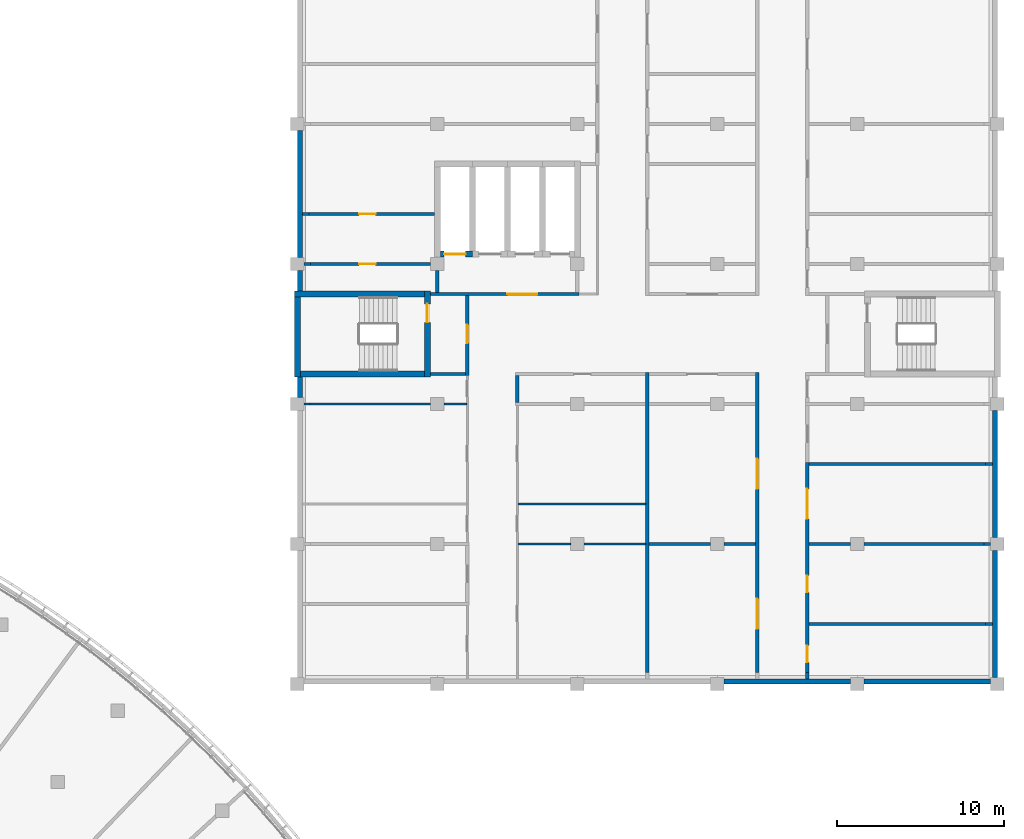
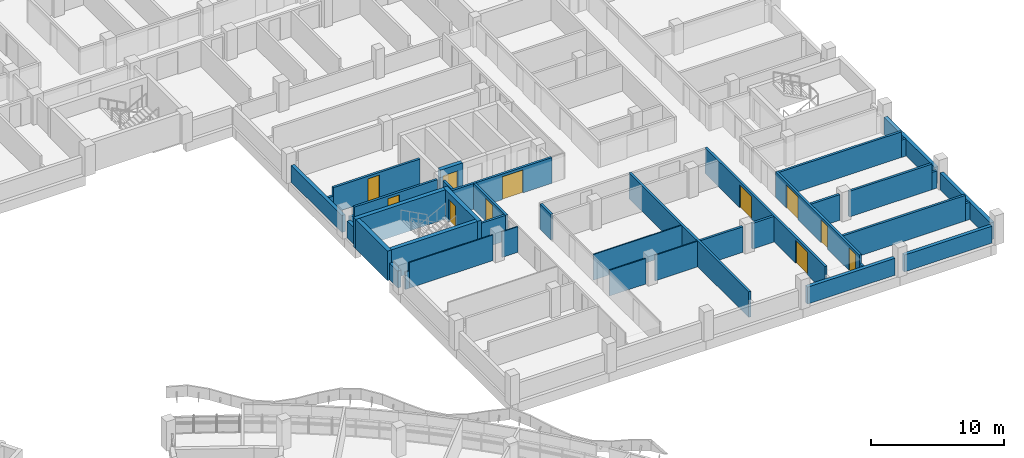
# One storey, part 55 of 89: 40 walls, 11 doors, 11 openings.
"""IFC4 building model written with IfcOpenShell, lengths in metres."""

from ifc_helpers import new_model, si_unit, direction, frame, frame_2d, origin, place, context, subcontext, project, spatial, rectangle, extrude, material, layer, layer_set, type_object, element, fill, save


model = new_model("IFC4")

# Units and contexts
model_context = context("Model", 3, precision=1e-05, world=origin(), true_north=direction((0.0, 1.0)))
body_context = subcontext(model_context, "Body", "Model", "MODEL_VIEW")
ifc_project = project(units=[si_unit("LENGTHUNIT", "METRE"), si_unit("AREAUNIT", "SQUARE_METRE"), si_unit("VOLUMEUNIT", "CUBIC_METRE"), si_unit("PLANEANGLEUNIT", "RADIAN"), si_unit("MASSUNIT", "GRAM", prefix="KILO")], contexts=[model_context])

# Site, building, storey
site_placement = place(None, origin())
site = spatial("IfcSite", under=ifc_project, at=site_placement, CompositionType="ELEMENT")
building_placement = place(site_placement, origin())
building = spatial("IfcBuilding", under=site, at=building_placement, Name="Bougainvillea Quay General Hospital", CompositionType="ELEMENT")
storey_placement = place(building_placement, frame((0.0, 0.0, 9.89990234375)))
storey = spatial("IfcBuildingStorey", under=building, at=storey_placement, Name="L01M", CompositionType="ELEMENT", Elevation=9.89990234375)

# Walls
ifc_material_1 = material(Name="Pale stone rainscreen cladding on insulated masonry backing, pale stone", Category="masonry")
ifc_layer_1 = layer(ifc_material_1, 0.300048828125)
ifc_layer_set_1 = layer_set([ifc_layer_1], Name="Pale stone rainscreen cladding on insulated masonry backing, pale stone")
wall_type_1 = type_object("IfcWallType", Name="External wall pale stone rainscreen 300", PredefinedType="STANDARD", material=ifc_layer_set_1)
for number, where, z_axis, x_axis, name in (
    (1, (163.949951171875, 108.800048828125, 0.0), (0.0, 0.0, 1.0), (0.0, -1.0, 0.0), "External wall wall/V3/L01M/p0/00b"),
    (2, (189.39990234375, 75.75, 0.0), (0.0, 0.0, 1.0), (1.0, 0.0, 0.0), "External wall wall/V3/L01M/p0/01d"),
):
    element("IfcWall", number, at=place(storey_placement, frame(where, z_axis=z_axis, x_axis=x_axis)), inside=storey, type_object=wall_type_1, Name=name, PredefinedType="STANDARD", context=body_context, shape_type="SweptSolid", body=[
        extrude(rectangle(XDim=7.60009765625, YDim=0.300048828125, at=frame_2d((3.800048828125, 0.0))), origin(), (0.0, 0.0, 1.0), 1.550048828125),
    ])
wall_1_placement = place(storey_placement, frame((197.800048828125, 75.75, 0.0), z_axis=(0.0, 0.0, 1.0), x_axis=(1.0, 0.0, 0.0)))
element("IfcWall", 3, at=wall_1_placement, inside=storey, type_object=wall_type_1, Name="External wall wall/V3/L01M/p0/01e", PredefinedType="STANDARD", context=body_context, shape_type="SweptSolid", body=[
    extrude(rectangle(XDim=7.599853515625, YDim=0.300048828125, at=frame_2d((3.7998046875, 0.0))), origin(), (0.0, 0.0, 1.0), 1.550048828125),
])
for number, where, z_axis, x_axis, name in (
    (4, (205.64990234375, 76.0, 0.0), (0.0, 0.0, 1.0), (0.0, 1.0, 0.0), "External wall wall/V3/L01M/p0/02a"),
    (5, (205.64990234375, 84.39990234375, 0.0), (0.0, 0.0, 1.0), (0.0, 1.0, 0.0), "External wall wall/V3/L01M/p0/02b"),
):
    element("IfcWall", number, at=place(storey_placement, frame(where, z_axis=z_axis, x_axis=x_axis)), inside=storey, type_object=wall_type_1, Name=name, PredefinedType="STANDARD", context=body_context, shape_type="SweptSolid", body=[
        extrude(rectangle(XDim=7.60009765625, YDim=0.300048828125, at=frame_2d((3.800048828125, 0.0))), origin(), (0.0, 0.0, 1.0), 1.550048828125),
    ])
ifc_material_2 = material(Name="Terracotta rainscreen cladding on insulated masonry backing, terracotta", Category="masonry")
ifc_layer_2 = layer(ifc_material_2, 0.300048828125)
ifc_layer_set_2 = layer_set([ifc_layer_2], Name="Terracotta rainscreen cladding on insulated masonry backing, terracotta")
wall_type_2 = type_object("IfcWallType", Name="External wall terracotta rainscreen 300", PredefinedType="STANDARD", material=ifc_layer_set_2)
for number, where, z_axis, x_axis, name in (
    (6, (163.949951171875, 100.39990234375, 0.0), (0.0, 0.0, 1.0), (0.0, -1.0, 0.0), "External wall wall/V3/L01M/p0/00c"),
    (7, (163.949951171875, 94.02490234375, 0.0), (0.0, 0.0, 1.0), (0.0, -1.0, 0.0), "External wall wall/V3/L01M/p0/00d"),
):
    element("IfcWall", number, at=place(storey_placement, frame(where, z_axis=z_axis, x_axis=x_axis)), inside=storey, type_object=wall_type_2, Name=name, PredefinedType="STANDARD", context=body_context, shape_type="SweptSolid", body=[
        extrude(rectangle(XDim=1.224853515625, YDim=0.300048828125, at=frame_2d((0.6123046875, 0.0))), origin(), (0.0, 0.0, 1.0), 1.550048828125),
    ])
ifc_material_3 = material(Name="Gypsum board partition on steel studs", Category="steel")
ifc_layer_3 = layer(ifc_material_3, 0.10009765625)
ifc_layer_set_3 = layer_set([ifc_layer_3], Name="Gypsum board partition on steel studs")
wall_type_3 = type_object("IfcWallType", Name="Partition 100 Gypsum board partition", PredefinedType="PARTITIONING", material=ifc_layer_set_3)
wall_2_placement = place(storey_placement, frame((164.199951171875, 92.39990234375, 0.0), z_axis=(0.0, 0.0, 1.0), x_axis=(1.0, 0.0, 0.0)))
element("IfcWall", 8, at=wall_2_placement, inside=storey, type_object=wall_type_3, Name="Partition 100 mm", PredefinedType="PARTITIONING", context=body_context, shape_type="SweptSolid", body=[
    extrude(rectangle(XDim=0.35009765625, YDim=0.10009765625, at=frame_2d((0.175048828125, 0.0))), origin(), (0.0, 0.0, 1.0), 1.580078125),
])
wall_3_placement = place(storey_placement, frame((164.550048828125, 92.39990234375, 0.0), z_axis=(0.0, 0.0, 1.0), x_axis=(1.0, 0.0, 0.0)))
element("IfcWall", 9, at=wall_3_placement, inside=storey, type_object=wall_type_3, Name="Partition 100 mm", PredefinedType="PARTITIONING", context=body_context, shape_type="SweptSolid", body=[
    extrude(rectangle(XDim=7.25, YDim=0.10009765625, at=frame_2d((3.625, 0.0))), origin(), (0.0, 0.0, 1.0), 2.35009765625),
])
wall_4_placement = place(storey_placement, frame((172.60009765625, 92.39990234375, 0.0), z_axis=(0.0, 0.0, 1.0), x_axis=(1.0, 0.0, 0.0)))
element("IfcWall", 10, at=wall_4_placement, inside=storey, type_object=wall_type_3, Name="Partition 100 mm", PredefinedType="PARTITIONING", context=body_context, shape_type="SweptSolid", body=[
    extrude(rectangle(XDim=1.349853515625, YDim=0.10009765625, at=frame_2d((0.6748046875, 0.0))), origin(), (0.0, 0.0, 1.0), 2.35009765625),
])
wall_5_placement = place(storey_placement, frame((177.050048828125, 84.0, 0.0), z_axis=(0.0, 0.0, 1.0), x_axis=(1.0, 0.0, 0.0)))
element("IfcWall", 11, at=wall_5_placement, inside=storey, type_object=wall_type_3, Name="Partition 100 mm", PredefinedType="PARTITIONING", context=body_context, shape_type="SweptSolid", body=[
    extrude(rectangle(XDim=3.14990234375, YDim=0.10009765625, at=frame_2d((1.574951171875, 0.0))), origin(), (0.0, 0.0, 1.0), 2.35009765625),
])
wall_6_placement = place(storey_placement, frame((181.0, 84.0, 0.0), z_axis=(0.0, 0.0, 1.0), x_axis=(1.0, 0.0, 0.0)))
element("IfcWall", 12, at=wall_6_placement, inside=storey, type_object=wall_type_3, Name="Partition 100 mm", PredefinedType="PARTITIONING", context=body_context, shape_type="SweptSolid", body=[
    extrude(rectangle(XDim=3.699951171875, YDim=0.10009765625, at=frame_2d((1.85009765625, 0.0))), origin(), (0.0, 0.0, 1.0), 2.35009765625),
])
wall_7_placement = place(storey_placement, frame((177.050048828125, 86.39990234375, 0.0), z_axis=(0.0, 0.0, 1.0), x_axis=(1.0, 0.0, 0.0)))
element("IfcWall", 13, at=wall_7_placement, inside=storey, type_object=wall_type_3, Name="Partition 100 mm", PredefinedType="PARTITIONING", context=body_context, shape_type="SweptSolid", body=[
    extrude(rectangle(XDim=7.64990234375, YDim=0.10009765625, at=frame_2d((3.824951171875, 0.0))), origin(), (0.0, 0.0, 1.0), 2.35009765625),
])
ifc_material_4 = material(Name="Fire-rated autoclaved aerated block wall, plastered")
ifc_layer_4 = layer(ifc_material_4, 0.199951171875)
ifc_layer_set_4 = layer_set([ifc_layer_4], Name="Fire-rated autoclaved aerated block wall, plastered")
wall_type_4 = type_object("IfcWallType", Name="Partition 200 Fire-rated autoclaved aerated block wall EI 120", PredefinedType="SOLIDWALL", material=ifc_layer_set_4)
wall_8_placement = place(storey_placement, frame((184.800048828125, 94.300048828125, 0.0), z_axis=(0.0, 0.0, 1.0), x_axis=(0.0, -1.0, 0.0)))
element("IfcWall", 14, at=wall_8_placement, inside=storey, type_object=wall_type_4, Name="Partition 200 mm EI 120", PredefinedType="SOLIDWALL", context=body_context, shape_type="SweptSolid", body=[
    extrude(rectangle(XDim=18.0, YDim=0.199951171875, at=frame_2d((9.0, 0.0))), origin(), (0.0, 0.0, 1.0), 2.35009765625),
])

# Wall, openings, doors
wall_9_placement = place(storey_placement, frame((191.39990234375, 94.300048828125, 0.0), z_axis=(0.0, 0.0, 1.0), x_axis=(0.0, -1.0, 0.0)))
wall_9 = element("IfcWall", 15, at=wall_9_placement, inside=storey, type_object=wall_type_4, Name="Partition 200 mm EI 120", PredefinedType="SOLIDWALL", context=body_context, shape_type="SweptSolid", body=[
    extrude(rectangle(XDim=18.0, YDim=0.199951171875, at=frame_2d((9.0, 0.0))), origin(), (0.0, 0.0, 1.0), 2.35009765625),
])
opening_1_placement = place(wall_9_placement, frame((5.199951171875, 0.0, 0.0)))
opening_1 = element("IfcOpeningElement", 16, at=opening_1_placement, cuts=wall_9, Name="Opening L01M.063", PredefinedType="OPENING", context=body_context, shape_type="SweptSolid", body=[
    extrude(rectangle(XDim=1.800048828125, YDim=2.10009765625, at=frame_2d((0.89990234375, 1.050048828125))), frame((0.0, 0.10986328125, 0.0), z_axis=(0.0, -1.0, 0.0), x_axis=(1.0, 0.0, 0.0)), (0.0, 0.0, 1.0), 0.219970703125),
])
opening_2_placement = place(wall_9_placement, frame((13.60009765625, 0.0, 0.0)))
opening_2 = element("IfcOpeningElement", 17, at=opening_2_placement, cuts=wall_9, Name="Opening L01M.064", PredefinedType="OPENING", context=body_context, shape_type="SweptSolid", body=[
    extrude(rectangle(XDim=1.800048828125, YDim=2.10009765625, at=frame_2d((0.89990234375, 1.050048828125))), frame((0.0, 0.10986328125, 0.0), z_axis=(0.0, -1.0, 0.0), x_axis=(1.0, 0.0, 0.0)), (0.0, 0.0, 1.0), 0.219970703125),
])
ifc_material_5 = material(Name="Steel fire door leaves in steel frame", Category="steel")
door_type_1 = type_object("IfcDoorType", Name="Steel double leaf door 1800x2100 FD90", OperationType="DOUBLE_DOOR_SINGLE_SWING", PredefinedType="DOOR", material=ifc_material_5)
door_1_placement = place(opening_1_placement, frame((1.800048828125, 0.0, 0.0), z_axis=(0.0, 0.0, 1.0), x_axis=(-1.0, 0.0, 0.0)))
door_1 = element("IfcDoor", 18, at=door_1_placement, inside=storey, type_object=door_type_1, Name="DT03 L01M.063", OperationType="DOUBLE_DOOR_SINGLE_SWING", OverallHeight=2.10009765625, OverallWidth=1.800048828125, PredefinedType="DOOR", context=body_context, shape_type="SweptSolid", body=[
    extrude(rectangle(XDim=1.800048828125, YDim=2.10009765625, at=frame_2d((0.89990234375, 1.050048828125))), frame((0.0, 0.02490234375, 0.0), z_axis=(0.0, -1.0, 0.0), x_axis=(1.0, 0.0, 0.0)), (0.0, 0.0, 1.0), 0.050048828125),
])
fill(opening_1, door_1)
door_2_placement = place(opening_2_placement, frame((1.800048828125, 0.0, 0.0), z_axis=(0.0, 0.0, 1.0), x_axis=(-1.0, 0.0, 0.0)))
door_2 = element("IfcDoor", 19, at=door_2_placement, inside=storey, type_object=door_type_1, Name="DT03 L01M.064", OperationType="DOUBLE_DOOR_SINGLE_SWING", OverallHeight=2.10009765625, OverallWidth=1.800048828125, PredefinedType="DOOR", context=body_context, shape_type="SweptSolid", body=[
    extrude(rectangle(XDim=1.800048828125, YDim=2.10009765625, at=frame_2d((0.89990234375, 1.050048828125))), frame((0.0, 0.02490234375, 0.0), z_axis=(0.0, -1.0, 0.0), x_axis=(1.0, 0.0, 0.0)), (0.0, 0.0, 1.0), 0.050048828125),
])
fill(opening_2, door_2)

# Wall, opening, door
wall_10_placement = place(storey_placement, frame((180.699951171875, 99.0, 0.0), z_axis=(0.0, 0.0, 1.0), x_axis=(-1.0, 0.0, 0.0)))
wall_10 = element("IfcWall", 20, at=wall_10_placement, inside=storey, type_object=wall_type_4, Name="Partition 200 mm EI 120", PredefinedType="SOLIDWALL", context=body_context, shape_type="SweptSolid", body=[
    extrude(rectangle(XDim=8.925048828125, YDim=0.199951171875, at=frame_2d((4.46240234375, 0.0))), origin(), (0.0, 0.0, 1.0), 2.35009765625),
])
opening_3_placement = place(wall_10_placement, frame((2.5, 0.0, 0.0)))
opening_3 = element("IfcOpeningElement", 21, at=opening_3_placement, cuts=wall_10, Name="Opening L01M.052", PredefinedType="OPENING", context=body_context, shape_type="SweptSolid", body=[
    extrude(rectangle(XDim=1.800048828125, YDim=2.10009765625, at=frame_2d((0.89990234375, 1.050048828125))), frame((0.0, 0.10986328125, 0.0), z_axis=(0.0, -1.0, 0.0), x_axis=(1.0, 0.0, 0.0)), (0.0, 0.0, 1.0), 0.219970703125),
])
door_type_2 = type_object("IfcDoorType", Name="Steel double leaf door 1800x2100 FD60", OperationType="DOUBLE_DOOR_SINGLE_SWING", PredefinedType="DOOR", material=ifc_material_5)
door_3_placement = place(opening_3_placement, frame((1.800048828125, 0.0, 0.0), z_axis=(0.0, 0.0, 1.0), x_axis=(-1.0, 0.0, 0.0)))
door_3 = element("IfcDoor", 22, at=door_3_placement, inside=storey, type_object=door_type_2, Name="DT05 L01M.052", OperationType="DOUBLE_DOOR_SINGLE_SWING", OverallHeight=2.10009765625, OverallWidth=1.800048828125, PredefinedType="DOOR", context=body_context, shape_type="SweptSolid", body=[
    extrude(rectangle(XDim=1.800048828125, YDim=2.10009765625, at=frame_2d((0.89990234375, 1.050048828125))), frame((0.0, 0.02490234375, 0.0), z_axis=(0.0, -1.0, 0.0), x_axis=(1.0, 0.0, 0.0)), (0.0, 0.0, 1.0), 0.050048828125),
])
fill(opening_3, door_3)

# Wall, openings, doors
wall_11_placement = place(storey_placement, frame((194.39990234375, 88.89990234375, 0.0), z_axis=(0.0, 0.0, 1.0), x_axis=(0.0, -1.0, 0.0)))
wall_11 = element("IfcWall", 23, at=wall_11_placement, inside=storey, type_object=wall_type_4, Name="Partition 200 mm EI 120", PredefinedType="SOLIDWALL", context=body_context, shape_type="SweptSolid", body=[
    extrude(rectangle(XDim=12.599853515625, YDim=0.199951171875, at=frame_2d((6.2998046875, 0.0))), origin(), (0.0, 0.0, 1.0), 2.35009765625),
])
opening_4_placement = place(wall_11_placement, frame((1.60009765625, 0.0, 0.0)))
opening_4 = element("IfcOpeningElement", 24, at=opening_4_placement, cuts=wall_11, Name="Opening L01M.067", PredefinedType="OPENING", context=body_context, shape_type="SweptSolid", body=[
    extrude(rectangle(XDim=1.800048828125, YDim=2.10009765625, at=frame_2d((0.89990234375, 1.050048828125))), frame((0.0, 0.10986328125, 0.0), z_axis=(0.0, -1.0, 0.0), x_axis=(1.0, 0.0, 0.0)), (0.0, 0.0, 1.0), 0.219970703125),
])
opening_5_placement = place(wall_11_placement, frame((6.800048828125, 0.0, 0.0)))
opening_5 = element("IfcOpeningElement", 25, at=opening_5_placement, cuts=wall_11, Name="Opening L01M.068", PredefinedType="OPENING", context=body_context, shape_type="SweptSolid", body=[
    extrude(rectangle(XDim=1.0, YDim=2.10009765625, at=frame_2d((0.5, 1.050048828125))), frame((0.0, 0.10986328125, 0.0), z_axis=(0.0, -1.0, 0.0), x_axis=(1.0, 0.0, 0.0)), (0.0, 0.0, 1.0), 0.219970703125),
])
opening_6_placement = place(wall_11_placement, frame((11.0, 0.0, 0.0)))
opening_6 = element("IfcOpeningElement", 26, at=opening_6_placement, cuts=wall_11, Name="Opening L01M.069", PredefinedType="OPENING", context=body_context, shape_type="SweptSolid", body=[
    extrude(rectangle(XDim=1.0, YDim=2.10009765625, at=frame_2d((0.5, 1.050048828125))), frame((0.0, 0.10986328125, 0.0), z_axis=(0.0, -1.0, 0.0), x_axis=(1.0, 0.0, 0.0)), (0.0, 0.0, 1.0), 0.219970703125),
])
door_4_placement = place(opening_4_placement, origin())
door_4 = element("IfcDoor", 27, at=door_4_placement, inside=storey, type_object=door_type_1, Name="DT03 L01M.067", OperationType="DOUBLE_DOOR_SINGLE_SWING", OverallHeight=2.10009765625, OverallWidth=1.800048828125, PredefinedType="DOOR", context=body_context, shape_type="SweptSolid", body=[
    extrude(rectangle(XDim=1.800048828125, YDim=2.10009765625, at=frame_2d((0.89990234375, 1.050048828125))), frame((0.0, 0.02490234375, 0.0), z_axis=(0.0, -1.0, 0.0), x_axis=(1.0, 0.0, 0.0)), (0.0, 0.0, 1.0), 0.050048828125),
])
fill(opening_4, door_4)
ifc_material_6 = material(Name="Steel fire door leaf in steel frame", Category="steel")
door_type_3 = type_object("IfcDoorType", Name="Steel single leaf door 1000x2100 FD90", OperationType="NOTDEFINED", PredefinedType="DOOR", material=ifc_material_6)
door_5_placement = place(opening_5_placement, origin())
door_5 = element("IfcDoor", 28, at=door_5_placement, inside=storey, type_object=door_type_3, Name="DT11 L01M.068", OperationType="SINGLE_SWING_RIGHT", OverallHeight=2.10009765625, OverallWidth=1.0, PredefinedType="DOOR", context=body_context, shape_type="SweptSolid", body=[
    extrude(rectangle(XDim=1.0, YDim=2.10009765625, at=frame_2d((0.5, 1.050048828125))), frame((0.0, 0.02490234375, 0.0), z_axis=(0.0, -1.0, 0.0), x_axis=(1.0, 0.0, 0.0)), (0.0, 0.0, 1.0), 0.050048828125),
])
fill(opening_5, door_5)
door_6_placement = place(opening_6_placement, origin())
door_6 = element("IfcDoor", 29, at=door_6_placement, inside=storey, type_object=door_type_3, Name="DT11 L01M.069", OperationType="SINGLE_SWING_RIGHT", OverallHeight=2.10009765625, OverallWidth=1.0, PredefinedType="DOOR", context=body_context, shape_type="SweptSolid", body=[
    extrude(rectangle(XDim=1.0, YDim=2.10009765625, at=frame_2d((0.5, 1.050048828125))), frame((0.0, 0.02490234375, 0.0), z_axis=(0.0, -1.0, 0.0), x_axis=(1.0, 0.0, 0.0)), (0.0, 0.0, 1.0), 0.050048828125),
])
fill(opening_6, door_6)

# Walls
wall_12_placement = place(storey_placement, frame((194.39990234375, 76.300048828125, 0.0), z_axis=(0.0, 0.0, 1.0), x_axis=(0.0, -1.0, 0.0)))
element("IfcWall", 30, at=wall_12_placement, inside=storey, type_object=wall_type_4, Name="Partition 200 mm EI 120", PredefinedType="SOLIDWALL", context=body_context, shape_type="SweptSolid", body=[
    extrude(rectangle(XDim=0.400146484375, YDim=0.199951171875, at=frame_2d((0.2001953125, 0.0))), origin(), (0.0, 0.0, 1.0), 1.580078125),
])
wall_13_placement = place(storey_placement, frame((194.5, 79.199951171875, 0.0), z_axis=(0.0, 0.0, 1.0), x_axis=(1.0, 0.0, 0.0)))
element("IfcWall", 31, at=wall_13_placement, inside=storey, type_object=wall_type_4, Name="Partition 200 mm EI 120", PredefinedType="SOLIDWALL", context=body_context, shape_type="SweptSolid", body=[
    extrude(rectangle(XDim=10.60009765625, YDim=0.199951171875, at=frame_2d((5.300048828125, 0.0))), origin(), (0.0, 0.0, 1.0), 2.35009765625),
])
wall_14_placement = place(storey_placement, frame((205.10009765625, 79.199951171875, 0.0), z_axis=(0.0, 0.0, 1.0), x_axis=(1.0, 0.0, 0.0)))
element("IfcWall", 32, at=wall_14_placement, inside=storey, type_object=wall_type_4, Name="Partition 200 mm EI 120", PredefinedType="SOLIDWALL", context=body_context, shape_type="SweptSolid", body=[
    extrude(rectangle(XDim=0.39990234375, YDim=0.199951171875, at=frame_2d((0.199951171875, 0.0))), origin(), (0.0, 0.0, 1.0), 1.580078125),
])
wall_15_placement = place(storey_placement, frame((194.5, 84.0, 0.0), z_axis=(0.0, 0.0, 1.0), x_axis=(1.0, 0.0, 0.0)))
element("IfcWall", 33, at=wall_15_placement, inside=storey, type_object=wall_type_4, Name="Partition 200 mm EI 120", PredefinedType="SOLIDWALL", context=body_context, shape_type="SweptSolid", body=[
    extrude(rectangle(XDim=2.5, YDim=0.199951171875, at=frame_2d((1.25, 0.0))), origin(), (0.0, 0.0, 1.0), 2.35009765625),
])
wall_16_placement = place(storey_placement, frame((197.800048828125, 84.0, 0.0), z_axis=(0.0, 0.0, 1.0), x_axis=(1.0, 0.0, 0.0)))
element("IfcWall", 34, at=wall_16_placement, inside=storey, type_object=wall_type_4, Name="Partition 200 mm EI 120", PredefinedType="SOLIDWALL", context=body_context, shape_type="SweptSolid", body=[
    extrude(rectangle(XDim=7.199951171875, YDim=0.199951171875, at=frame_2d((3.60009765625, 0.0))), origin(), (0.0, 0.0, 1.0), 2.35009765625),
])
wall_17_placement = place(storey_placement, frame((205.0, 84.0, 0.0), z_axis=(0.0, 0.0, 1.0), x_axis=(1.0, 0.0, 0.0)))
element("IfcWall", 35, at=wall_17_placement, inside=storey, type_object=wall_type_4, Name="Partition 200 mm EI 120", PredefinedType="SOLIDWALL", context=body_context, shape_type="SweptSolid", body=[
    extrude(rectangle(XDim=0.39990234375, YDim=0.199951171875, at=frame_2d((0.199951171875, 0.0))), origin(), (0.0, 0.0, 1.0), 1.580078125),
])
wall_18_placement = place(storey_placement, frame((194.5, 88.800048828125, 0.0), z_axis=(0.0, 0.0, 1.0), x_axis=(1.0, 0.0, 0.0)))
element("IfcWall", 36, at=wall_18_placement, inside=storey, type_object=wall_type_4, Name="Partition 200 mm EI 120", PredefinedType="SOLIDWALL", context=body_context, shape_type="SweptSolid", body=[
    extrude(rectangle(XDim=10.60009765625, YDim=0.199951171875, at=frame_2d((5.300048828125, 0.0))), origin(), (0.0, 0.0, 1.0), 2.35009765625),
])
wall_19_placement = place(storey_placement, frame((205.10009765625, 88.800048828125, 0.0), z_axis=(0.0, 0.0, 1.0), x_axis=(1.0, 0.0, 0.0)))
element("IfcWall", 37, at=wall_19_placement, inside=storey, type_object=wall_type_4, Name="Partition 200 mm EI 120", PredefinedType="SOLIDWALL", context=body_context, shape_type="SweptSolid", body=[
    extrude(rectangle(XDim=0.39990234375, YDim=0.199951171875, at=frame_2d((0.199951171875, 0.0))), origin(), (0.0, 0.0, 1.0), 1.580078125),
])
wall_20_placement = place(storey_placement, frame((172.199951171875, 100.39990234375, 0.0), z_axis=(0.0, 0.0, 1.0), x_axis=(0.0, -1.0, 0.0)))
element("IfcWall", 38, at=wall_20_placement, inside=storey, type_object=wall_type_4, Name="Partition 200 mm EI 120", PredefinedType="SOLIDWALL", context=body_context, shape_type="SweptSolid", body=[
    extrude(rectangle(XDim=1.2998046875, YDim=0.199951171875, at=frame_2d((0.64990234375, 0.0))), origin(), (0.0, 0.0, 1.0), 2.35009765625),
])
wall_21_placement = place(storey_placement, frame((164.199951171875, 100.800048828125, 0.0), z_axis=(0.0, 0.0, 1.0), x_axis=(1.0, 0.0, 0.0)))
element("IfcWall", 39, at=wall_21_placement, inside=storey, type_object=wall_type_4, Name="Partition 200 mm EI 120", PredefinedType="SOLIDWALL", context=body_context, shape_type="SweptSolid", body=[
    extrude(rectangle(XDim=0.400146484375, YDim=0.199951171875, at=frame_2d((0.2001953125, 0.0))), origin(), (0.0, 0.0, 1.0), 1.580078125),
])

# Wall, opening, door
wall_22_placement = place(storey_placement, frame((164.60009765625, 100.800048828125, 0.0), z_axis=(0.0, 0.0, 1.0), x_axis=(1.0, 0.0, 0.0)))
wall_22 = element("IfcWall", 40, at=wall_22_placement, inside=storey, type_object=wall_type_4, Name="Partition 200 mm EI 120", PredefinedType="SOLIDWALL", context=body_context, shape_type="SweptSolid", body=[
    extrude(rectangle(XDim=7.199951171875, YDim=0.199951171875, at=frame_2d((3.60009765625, 0.0))), origin(), (0.0, 0.0, 1.0), 2.35009765625),
])
opening_7_placement = place(wall_22_placement, frame((2.89990234375, 0.0, 0.0)))
opening_7 = element("IfcOpeningElement", 41, at=opening_7_placement, cuts=wall_22, Name="Opening L01M.168", PredefinedType="OPENING", context=body_context, shape_type="SweptSolid", body=[
    extrude(rectangle(XDim=1.0, YDim=2.10009765625, at=frame_2d((0.5, 1.050048828125))), frame((0.0, 0.10986328125, 0.0), z_axis=(0.0, -1.0, 0.0), x_axis=(1.0, 0.0, 0.0)), (0.0, 0.0, 1.0), 0.219970703125),
])
door_7_placement = place(opening_7_placement, frame((1.0, 0.0, 0.0), z_axis=(0.0, 0.0, 1.0), x_axis=(-1.0, 0.0, 0.0)))
door_7 = element("IfcDoor", 42, at=door_7_placement, inside=storey, type_object=door_type_3, Name="DT11 L01M.168", OperationType="SINGLE_SWING_RIGHT", OverallHeight=2.10009765625, OverallWidth=1.0, PredefinedType="DOOR", context=body_context, shape_type="SweptSolid", body=[
    extrude(rectangle(XDim=1.0, YDim=2.10009765625, at=frame_2d((0.5, 1.050048828125))), frame((0.0, 0.02490234375, 0.0), z_axis=(0.0, -1.0, 0.0), x_axis=(1.0, 0.0, 0.0)), (0.0, 0.0, 1.0), 0.050048828125),
])
fill(opening_7, door_7)

# Wall
wall_23_placement = place(storey_placement, frame((164.10009765625, 103.798095703125, 0.0), z_axis=(0.0, 0.0, 1.0), x_axis=(1.0, 0.0, 0.0)))
element("IfcWall", 43, at=wall_23_placement, inside=storey, type_object=wall_type_4, Name="Partition 200 mm EI 120", PredefinedType="SOLIDWALL", context=body_context, shape_type="SweptSolid", body=[
    extrude(rectangle(XDim=0.39990234375, YDim=0.199951171875, at=frame_2d((0.199951171875, 0.0))), origin(), (0.0, 0.0, 1.0), 1.580078125),
])

# Wall, opening, door
wall_24_placement = place(storey_placement, frame((164.5, 103.798095703125, 0.0), z_axis=(0.0, 0.0, 1.0), x_axis=(1.0, 0.0, 0.0)))
wall_24 = element("IfcWall", 44, at=wall_24_placement, inside=storey, type_object=wall_type_4, Name="Partition 200 mm EI 120", PredefinedType="SOLIDWALL", context=body_context, shape_type="SweptSolid", body=[
    extrude(rectangle(XDim=7.52490234375, YDim=0.199951171875, at=frame_2d((3.762451171875, 0.0))), origin(), (0.0, 0.0, 1.0), 2.35009765625),
])
opening_8_placement = place(wall_24_placement, frame((3.0, 0.0, 0.0)))
opening_8 = element("IfcOpeningElement", 45, at=opening_8_placement, cuts=wall_24, Name="Opening L01M.167", PredefinedType="OPENING", context=body_context, shape_type="SweptSolid", body=[
    extrude(rectangle(XDim=1.0, YDim=2.10009765625, at=frame_2d((0.5, 1.050048828125))), frame((0.0, 0.10986328125, 0.0), z_axis=(0.0, -1.0, 0.0), x_axis=(1.0, 0.0, 0.0)), (0.0, 0.0, 1.0), 0.219970703125),
])
door_8_placement = place(opening_8_placement, frame((1.0, 0.0, 0.0), z_axis=(0.0, 0.0, 1.0), x_axis=(-1.0, 0.0, 0.0)))
door_8 = element("IfcDoor", 46, at=door_8_placement, inside=storey, type_object=door_type_3, Name="DT11 L01M.167", OperationType="SINGLE_SWING_RIGHT", OverallHeight=2.10009765625, OverallWidth=1.0, PredefinedType="DOOR", context=body_context, shape_type="SweptSolid", body=[
    extrude(rectangle(XDim=1.0, YDim=2.10009765625, at=frame_2d((0.5, 1.050048828125))), frame((0.0, 0.02490234375, 0.0), z_axis=(0.0, -1.0, 0.0), x_axis=(1.0, 0.0, 0.0)), (0.0, 0.0, 1.0), 0.050048828125),
])
fill(opening_8, door_8)

# Walls
wall_25_placement = place(storey_placement, frame((184.89990234375, 84.0, 0.0), z_axis=(0.0, 0.0, 1.0), x_axis=(1.0, 0.0, 0.0)))
element("IfcWall", 47, at=wall_25_placement, inside=storey, type_object=wall_type_4, Name="Partition 200 mm EI 120", PredefinedType="SOLIDWALL", context=body_context, shape_type="SweptSolid", body=[
    extrude(rectangle(XDim=3.7001953125, YDim=0.199951171875, at=frame_2d((1.85009765625, 0.0))), origin(), (0.0, 0.0, 1.0), 2.35009765625),
])
wall_26_placement = place(storey_placement, frame((189.39990234375, 84.0, 0.0), z_axis=(0.0, 0.0, 1.0), x_axis=(1.0, 0.0, 0.0)))
element("IfcWall", 48, at=wall_26_placement, inside=storey, type_object=wall_type_4, Name="Partition 200 mm EI 120", PredefinedType="SOLIDWALL", context=body_context, shape_type="SweptSolid", body=[
    extrude(rectangle(XDim=1.900146484375, YDim=0.199951171875, at=frame_2d((0.9501953125, 0.0))), origin(), (0.0, 0.0, 1.0), 2.35009765625),
])

# Wall, opening, door
wall_27_placement = place(storey_placement, frame((174.0, 94.10009765625, 0.0), z_axis=(0.0, 0.0, 1.0), x_axis=(0.0, 1.0, 0.0)))
wall_27 = element("IfcWall", 49, at=wall_27_placement, inside=storey, type_object=wall_type_4, Name="Partition 200 mm EI 120", PredefinedType="SOLIDWALL", context=body_context, shape_type="SweptSolid", body=[
    extrude(rectangle(XDim=4.7998046875, YDim=0.199951171875, at=frame_2d((2.39990234375, 0.0))), origin(), (0.0, 0.0, 1.0), 2.35009765625),
])
opening_9_placement = place(wall_27_placement, frame((1.949951171875, 0.0, 0.0)))
opening_9 = element("IfcOpeningElement", 50, at=opening_9_placement, cuts=wall_27, Name="Opening L01M.050", PredefinedType="OPENING", context=body_context, shape_type="SweptSolid", body=[
    extrude(rectangle(XDim=1.10009765625, YDim=2.10009765625, at=frame_2d((0.550048828125, 1.050048828125))), frame((0.0, 0.10986328125, 0.0), z_axis=(0.0, -1.0, 0.0), x_axis=(1.0, 0.0, 0.0)), (0.0, 0.0, 1.0), 0.219970703125),
])
door_type_4 = type_object("IfcDoorType", Name="Steel single leaf door 1100x2100 FD60", OperationType="NOTDEFINED", PredefinedType="DOOR", material=ifc_material_6)
door_9_placement = place(opening_9_placement, origin())
door_9 = element("IfcDoor", 51, at=door_9_placement, inside=storey, type_object=door_type_4, Name="DT04 L01M.050", OperationType="SINGLE_SWING_RIGHT", OverallHeight=2.10009765625, OverallWidth=1.10009765625, PredefinedType="DOOR", context=body_context, shape_type="SweptSolid", body=[
    extrude(rectangle(XDim=1.10009765625, YDim=2.10009765625, at=frame_2d((0.550048828125, 1.050048828125))), frame((0.0, 0.02490234375, 0.0), z_axis=(0.0, -1.0, 0.0), x_axis=(1.0, 0.0, 0.0)), (0.0, 0.0, 1.0), 0.050048828125),
])
fill(opening_9, door_9)

# Walls
wall_28_placement = place(storey_placement, frame((171.77490234375, 94.199951171875, 0.0), z_axis=(0.0, 0.0, 1.0), x_axis=(1.0, 0.0, 0.0)))
element("IfcWall", 52, at=wall_28_placement, inside=storey, type_object=wall_type_4, Name="Partition 200 mm EI 120", PredefinedType="SOLIDWALL", context=body_context, shape_type="SweptSolid", body=[
    extrude(rectangle(XDim=2.125, YDim=0.199951171875, at=frame_2d((1.0625, 0.0))), origin(), (0.0, 0.0, 1.0), 2.35009765625),
])
ifc_layer_5 = layer(ifc_material_4, 0.199951171875)
ifc_layer_set_5 = layer_set([ifc_layer_5], Name="Fire-rated autoclaved aerated block wall, plastered")
wall_type_5 = type_object("IfcWallType", Name="Partition 200 Fire-rated autoclaved aerated block wall EI 60", PredefinedType="SOLIDWALL", material=ifc_layer_set_5)
wall_29_placement = place(storey_placement, frame((177.0, 92.5, 0.0), z_axis=(0.0, 0.0, 1.0), x_axis=(0.0, 1.0, 0.0)))
element("IfcWall", 53, at=wall_29_placement, inside=storey, type_object=wall_type_5, Name="Partition 200 mm EI 60", PredefinedType="SOLIDWALL", context=body_context, shape_type="SweptSolid", body=[
    extrude(rectangle(XDim=1.60009765625, YDim=0.199951171875, at=frame_2d((0.800048828125, 0.0))), origin(), (0.0, 0.0, 1.0), 2.35009765625),
])
ifc_material_7 = material(Name="Concrete C40", Category="concrete")
ifc_layer_6 = layer(ifc_material_7, 0.35009765625)
ifc_layer_set_6 = layer_set([ifc_layer_6], Name="Concrete C40")
wall_type_6 = type_object("IfcWallType", Name="RC SHEAR WALL 350 C40", PredefinedType="SHEAR", material=ifc_layer_set_6)
wall_30_placement = place(storey_placement, frame((163.625, 99.0, 0.0), z_axis=(0.0, 0.0, 1.0), x_axis=(1.0, 0.0, 0.0)))
element("IfcWall", 54, at=wall_30_placement, inside=storey, type_object=wall_type_6, Name="Shear wall L01M", PredefinedType="SHEAR", context=body_context, shape_type="SweptSolid", body=[
    extrude(rectangle(XDim=7.800048828125, YDim=0.35009765625, at=frame_2d((3.89990234375, 0.0))), origin(), (0.0, 0.0, 1.0), 2.7001953125),
])
wall_31_placement = place(storey_placement, frame((163.800048828125, 94.02490234375, 0.0), z_axis=(0.0, 0.0, 1.0), x_axis=(0.0, 1.0, 0.0)))
element("IfcWall", 55, at=wall_31_placement, inside=storey, type_object=wall_type_6, Name="Shear wall L01M", PredefinedType="SHEAR", context=body_context, shape_type="SweptSolid", body=[
    extrude(rectangle(XDim=4.800048828125, YDim=0.35009765625, at=frame_2d((2.39990234375, 0.0))), origin(), (0.0, 0.0, 1.0), 2.7001953125),
])
wall_32_placement = place(storey_placement, frame((163.97509765625, 94.199951171875, 0.0), z_axis=(0.0, 0.0, 1.0), x_axis=(1.0, 0.0, 0.0)))
element("IfcWall", 56, at=wall_32_placement, inside=storey, type_object=wall_type_6, Name="Shear wall L01M", PredefinedType="SHEAR", context=body_context, shape_type="SweptSolid", body=[
    extrude(rectangle(XDim=7.449951171875, YDim=0.35009765625, at=frame_2d((3.72509765625, 0.0))), origin(), (0.0, 0.0, 1.0), 2.7001953125),
])

# Wall, opening, door
wall_33_placement = place(storey_placement, frame((171.60009765625, 94.02490234375, 0.0), z_axis=(0.0, 0.0, 1.0), x_axis=(0.0, 1.0, 0.0)))
wall_33 = element("IfcWall", 57, at=wall_33_placement, inside=storey, type_object=wall_type_6, Name="Shear wall L01M", PredefinedType="SHEAR", context=body_context, shape_type="SweptSolid", body=[
    extrude(rectangle(XDim=5.150146484375, YDim=0.35009765625, at=frame_2d((2.5751953125, 0.0))), origin(), (0.0, 0.0, 1.0), 2.7001953125),
])
opening_10_placement = place(wall_33_placement, frame((3.27490234375, 0.0, 0.0)))
opening_10 = element("IfcOpeningElement", 58, at=opening_10_placement, cuts=wall_33, Name="Opening L01M.029", PredefinedType="OPENING", context=body_context, shape_type="SweptSolid", body=[
    extrude(rectangle(XDim=1.10009765625, YDim=2.10009765625, at=frame_2d((0.550048828125, 1.050048828125))), frame((0.0, 0.18505859375, 0.0), z_axis=(0.0, -1.0, 0.0), x_axis=(1.0, 0.0, 0.0)), (0.0, 0.0, 1.0), 0.3701171875),
])
door_10_placement = place(opening_10_placement, origin())
door_10 = element("IfcDoor", 59, at=door_10_placement, inside=storey, type_object=door_type_4, Name="DT04 L01M.029", OperationType="SINGLE_SWING_RIGHT", OverallHeight=2.10009765625, OverallWidth=1.10009765625, PredefinedType="DOOR", context=body_context, shape_type="SweptSolid", body=[
    extrude(rectangle(XDim=1.10009765625, YDim=2.10009765625, at=frame_2d((0.550048828125, 1.050048828125))), frame((0.0, 0.02490234375, 0.0), z_axis=(0.0, -1.0, 0.0), x_axis=(1.0, 0.0, 0.0)), (0.0, 0.0, 1.0), 0.050048828125),
])
fill(opening_10, door_10)

wall_34_placement = place(storey_placement, frame((172.375, 101.39990234375, 0.0), z_axis=(0.0, 0.0, 1.0), x_axis=(1.0, 0.0, 0.0)))
wall_34 = element("IfcWall", 60, at=wall_34_placement, inside=storey, type_object=wall_type_6, Name="Shear wall L01M", PredefinedType="SHEAR", context=body_context, shape_type="SweptSolid", body=[
    extrude(rectangle(XDim=1.925048828125, YDim=0.35009765625, at=frame_2d((0.96240234375, 0.0))), origin(), (0.0, 0.0, 1.0), 2.7001953125),
])
opening_11_placement = place(wall_34_placement, frame((0.22509765625, 0.0, 0.0)))
opening_11 = element("IfcOpeningElement", 61, at=opening_11_placement, cuts=wall_34, Name="Opening LD-T1.1-L01M", PredefinedType="OPENING", context=body_context, shape_type="SweptSolid", body=[
    extrude(rectangle(XDim=1.300048828125, YDim=2.10009765625, at=frame_2d((0.64990234375, 1.050048828125))), frame((0.0, 0.18505859375, 0.0), z_axis=(0.0, -1.0, 0.0), x_axis=(1.0, 0.0, 0.0)), (0.0, 0.0, 1.0), 0.3701171875),
])
ifc_material_8 = material(Name="Stainless steel centre-opening landing door", Category="steel")
door_type_5 = type_object("IfcDoorType", Name="Lift landing door 1300x2100 E 120", OperationType="DOUBLE_DOOR_SLIDING", PredefinedType="DOOR", material=ifc_material_8)
door_11_placement = place(opening_11_placement, origin())
door_11 = element("IfcDoor", 62, at=door_11_placement, inside=storey, type_object=door_type_5, Name="Lift landing door LB-T1-1 L01M", OperationType="DOUBLE_DOOR_SLIDING", OverallHeight=2.10009765625, OverallWidth=1.300048828125, PredefinedType="DOOR", context=body_context, shape_type="SweptSolid", body=[
    extrude(rectangle(XDim=1.300048828125, YDim=2.10009765625, at=frame_2d((0.64990234375, 1.050048828125))), frame((0.0, 0.02490234375, 0.0), z_axis=(0.0, -1.0, 0.0), x_axis=(1.0, 0.0, 0.0)), (0.0, 0.0, 1.0), 0.050048828125),
])
fill(opening_11, door_11)

save(model, "model.ifc")
